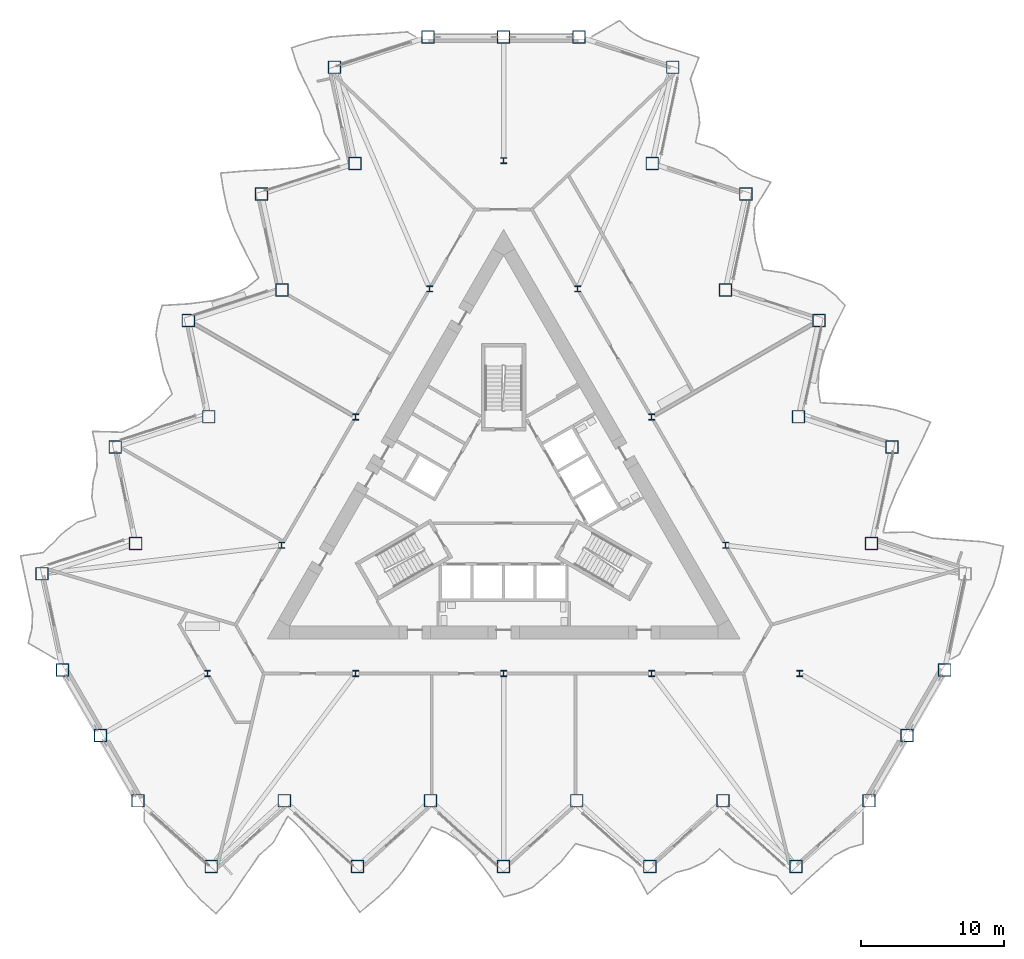
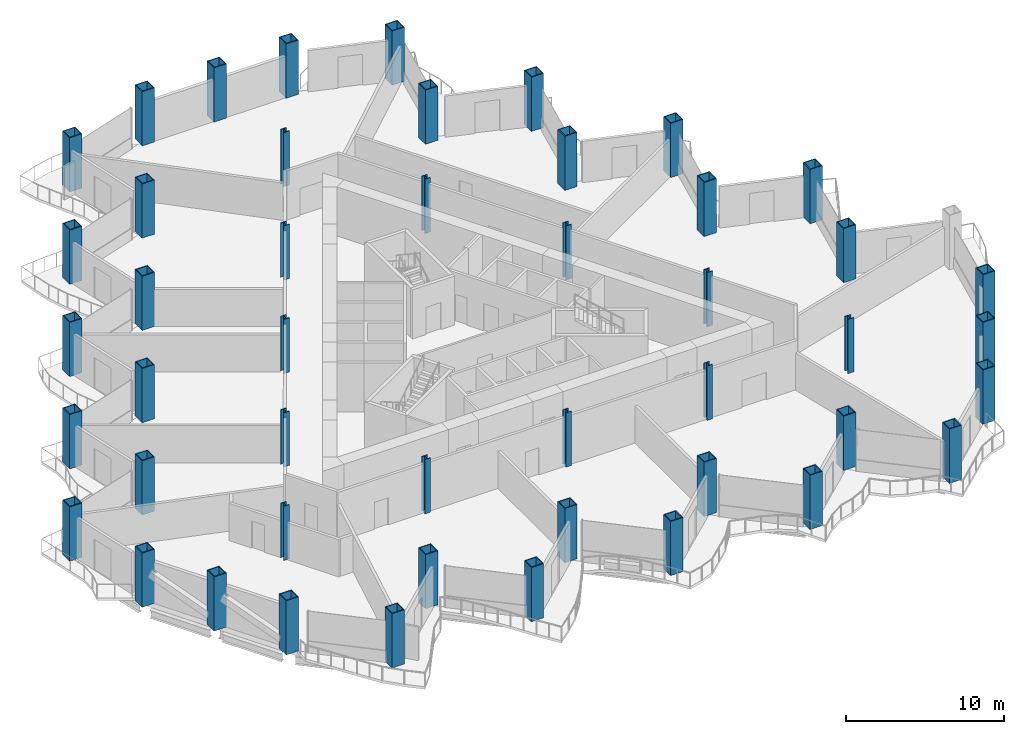
# One storey, part 1 of 21: 47 columns.
"""IFC4 building model written with IfcOpenShell, lengths in metres."""

import ifcopenshell
import ifcopenshell.guid

model = None  # the IFC model being written
_history = None  # IfcOwnerHistory: only IFC2X3 demands one
_inside = {}  # id of a spatial element -> (the spatial element, [elements in it])
_under = {}  # id of a project, library or spatial element -> (it, [spatial elements below it])
_declared = {}  # id of a project -> (the project, [libraries it declares])
_typed = {}  # id of a type object -> (the type object, [elements of that type])
_made_of = {}  # id of a material, layer set ... -> (it, [elements and type objects made of it])


def new_model(schema):
    """Start an empty IFC model of exactly this schema.

    Asked for "IFC4X3", IfcOpenShell would pick the latest addendum, in which some entities
    have other attributes; the version numbers below select the first issue.
    IFC2X3 requires an IfcOwnerHistory on every rooted entity: one is made here for all.
    """
    global model, _history
    if schema == "IFC4X3":
        model = ifcopenshell.file(schema_version=(4, 3, 0, 0))
    else:
        model = ifcopenshell.file(schema=schema)
    _inside.clear()
    _under.clear()
    _declared.clear()
    _typed.clear()
    _made_of.clear()
    _history = None
    if model.schema == "IFC2X3":
        org = make("IfcOrganization", Name="unknown")
        user = make(
            "IfcPersonAndOrganization",
            ThePerson=make("IfcPerson", FamilyName="unknown"),
            TheOrganization=org,
        )
        app = make(
            "IfcApplication",
            ApplicationDeveloper=org,
            Version="unknown",
            ApplicationFullName="unknown",
            ApplicationIdentifier="unknown",
        )
        _history = make(
            "IfcOwnerHistory",
            OwningUser=user,
            OwningApplication=app,
            ChangeAction="ADDED",
            CreationDate=0,
        )
    return model


def make(cls, **values):
    """One entity of the class cls with the attributes given. An attribute that is None is left unset."""
    return model.create_entity(
        cls, **{name: value for name, value in values.items() if value is not None}
    )


def rooted(cls, **values):
    """An entity with a GlobalId (a new one), such as an element, a storey or a relation."""
    return make(cls, GlobalId=ifcopenshell.guid.new(), OwnerHistory=_history, **values)


def si_unit(unit_type, name, prefix=None):
    """IfcSIUnit, for example si_unit("LENGTHUNIT", "METRE", prefix="MILLI")."""
    return make("IfcSIUnit", UnitType=unit_type, Prefix=prefix, Name=name)


def assignment(units):
    """IfcUnitAssignment: the units of a project."""
    return None if units is None else make("IfcUnitAssignment", Units=units)


def point(xyz):
    """IfcCartesianPoint."""
    return None if xyz is None else make("IfcCartesianPoint", Coordinates=xyz)


def direction(xyz):
    """IfcDirection."""
    return None if xyz is None else make("IfcDirection", DirectionRatios=xyz)


def frame(location, z_axis=None, x_axis=None):
    """IfcAxis2Placement3D, a coordinate frame: its origin and axes. An axis left out is left unset."""
    return make(
        "IfcAxis2Placement3D",
        Location=point(location),
        Axis=direction(z_axis),
        RefDirection=direction(x_axis),
    )


def frame_2d(location, x_axis=None):
    """IfcAxis2Placement2D, a coordinate frame in the plane: its origin and x axis."""
    return make(
        "IfcAxis2Placement2D", Location=point(location), RefDirection=direction(x_axis)
    )


def origin():
    """The frame at (0, 0, 0) with its axes left unset."""
    return frame((0.0, 0.0, 0.0))


def origin_2d():
    """The frame at (0, 0) in the plane with its x axis left unset."""
    return frame_2d((0.0, 0.0))


def place(relative_to, where):
    """IfcLocalPlacement: puts the frame where relative to a parent placement (None: the world)."""
    return make(
        "IfcLocalPlacement", PlacementRelTo=relative_to, RelativePlacement=where
    )


def context(
    kind, dimensions, precision=None, world=None, true_north=None, identifier=None
):
    """IfcGeometricRepresentationContext, for example the 3D "Model" context."""
    return make(
        "IfcGeometricRepresentationContext",
        ContextIdentifier=identifier,
        ContextType=kind,
        CoordinateSpaceDimension=dimensions,
        Precision=precision,
        WorldCoordinateSystem=world,
        TrueNorth=true_north,
    )


def subcontext(parent, identifier, kind, view, scale=None):
    """IfcGeometricRepresentationSubContext, for example "Body" below "Model"."""
    return make(
        "IfcGeometricRepresentationSubContext",
        ContextIdentifier=identifier,
        ContextType=kind,
        ParentContext=parent,
        TargetScale=scale,
        TargetView=view,
    )


def project(units=None, contexts=None):
    """IfcProject with its units and contexts."""
    return rooted(
        "IfcProject",
        Name="project",
        RepresentationContexts=contexts,
        UnitsInContext=assignment(units),
    )


def spatial(cls, under=None, at=None, **own):
    """A site, building, storey or space (cls), placed at a placement, below another one or the project."""
    s = rooted(cls, ObjectPlacement=at, **own)
    if under is not None:
        _under.setdefault(under.id(), (under, []))[1].append(s)
    return s


def profile(cls, at=None, kind="AREA", **sizes):
    """A parametric profile (cls). Its sizes go by their IFC names, for example OverallWidth=200.0."""
    return make(cls, ProfileType=kind, Position=at, **sizes)


def hollow_rectangle(**sizes):
    """IfcRectangleHollowProfileDef."""
    return profile("IfcRectangleHollowProfileDef", **sizes)


def i_section(**sizes):
    """IfcIShapeProfileDef."""
    return profile("IfcIShapeProfileDef", **sizes)


def extrude(swept, where, along, depth):
    """IfcExtrudedAreaSolid: the profile swept, set in the frame where, extruded along a direction by depth."""
    return make(
        "IfcExtrudedAreaSolid",
        SweptArea=swept,
        Position=where,
        ExtrudedDirection=direction(along),
        Depth=depth,
    )


def shape(context_of_items, identifier, shape_type, items):
    """IfcShapeRepresentation: the items that make up one representation, for example the "Body"."""
    return make(
        "IfcShapeRepresentation",
        ContextOfItems=context_of_items,
        RepresentationIdentifier=identifier,
        RepresentationType=shape_type,
        Items=items,
    )


def material(Name=None, Category=None):
    """IfcMaterial."""
    return make("IfcMaterial", Name=Name, Category=Category)


def material_profile(
    of_material, cross_section, Name=None, Category=None, Priority=None
):
    """IfcMaterialProfile: a cross section and its material."""
    return make(
        "IfcMaterialProfile",
        Name=Name,
        Material=of_material,
        Profile=cross_section,
        Priority=Priority,
        Category=Category,
    )


def profile_set(profiles, Name=None, composite=None):
    """IfcMaterialProfileSet."""
    return make(
        "IfcMaterialProfileSet",
        Name=Name,
        MaterialProfiles=profiles,
        CompositeProfile=composite,
    )


def made_of(thing, what):
    """Note that an element or type object is made of a material, layer set ...; save() writes the relation."""
    if what is not None:
        _made_of.setdefault(what.id(), (what, []))[1].append(thing)
    return thing


def type_object(cls, material=None, **own):
    """A type object (cls), such as IfcWallType, which elements share."""
    return made_of(rooted(cls, **own), material)


def element(
    cls,
    number,
    at=None,
    inside=None,
    cuts=None,
    type_object=None,
    material=None,
    context=None,
    identifier="Body",
    shape_type=None,
    held_by="IfcProductDefinitionShape",
    body=None,
    shapes=None,
    **own,
):
    """One element of the class cls, such as IfcWall. Its Tag is "e" and its number.

    at: its placement. inside: the storey or other place that contains it. cuts: it is an
    opening in that element (IfcRelVoidsElement). A single representation is given by context,
    identifier, shape_type and body (its items); several are given by shapes. held_by: the class
    of the entity that holds the representations. save() writes the other relations.
    """
    e = rooted(cls, Tag="e%d" % number, ObjectPlacement=at, **own)
    if body is not None:
        shapes = [shape(context, identifier, shape_type, body)]
    if shapes is not None:
        e.Representation = make(held_by, Representations=shapes)
    if inside is not None:
        _inside.setdefault(inside.id(), (inside, []))[1].append(e)
    if cuts is not None:
        rooted(
            "IfcRelVoidsElement", RelatingBuildingElement=cuts, RelatedOpeningElement=e
        )
    if type_object is not None:
        _typed.setdefault(type_object.id(), (type_object, []))[1].append(e)
    return made_of(e, material)


def aggregate(whole, parts):
    """IfcRelAggregates: a whole, such as a stair, and the parts it consists of."""
    return rooted("IfcRelAggregates", RelatingObject=whole, RelatedObjects=parts)


def save(model, path):
    """Write the relations noted so far, then the file.

    IfcRelAggregates (storeys below a building ...), IfcRelContainedInSpatialStructure (elements
    in a storey), IfcRelDefinesByType, IfcRelAssociatesMaterial and IfcRelDeclares: one each for
    every whole, place, type object, material and project.
    """
    for whole, parts in _under.values():
        aggregate(whole, parts)
    for where, things in _inside.values():
        rooted(
            "IfcRelContainedInSpatialStructure",
            RelatedElements=things,
            RelatingStructure=where,
        )
    for kind, things in _typed.values():
        rooted("IfcRelDefinesByType", RelatedObjects=things, RelatingType=kind)
    for what, things in _made_of.values():
        rooted("IfcRelAssociatesMaterial", RelatedObjects=things, RelatingMaterial=what)
    for by, libraries in _declared.values():
        rooted("IfcRelDeclares", RelatingContext=by, RelatedDefinitions=libraries)
    model.write(path)


model = new_model("IFC4")

# Units and contexts
model_context = context("Model", 3, precision=1e-05, world=origin(), true_north=direction((0.0, 1.0)))
body_context = subcontext(model_context, "Body", "Model", "MODEL_VIEW")
ifc_project = project(units=[si_unit("LENGTHUNIT", "METRE"), si_unit("AREAUNIT", "SQUARE_METRE"), si_unit("VOLUMEUNIT", "CUBIC_METRE"), si_unit("PLANEANGLEUNIT", "RADIAN"), si_unit("MASSUNIT", "GRAM", prefix="KILO")], contexts=[model_context])

# Site, building, storey
site_placement = place(None, origin())
site = spatial("IfcSite", under=ifc_project, at=site_placement, CompositionType="ELEMENT")
building_placement = place(site_placement, origin())
building = spatial("IfcBuilding", under=site, at=building_placement, Name="Cormorant Prow Tower", CompositionType="ELEMENT")
storey_placement = place(building_placement, frame((0.0, 0.0, 120.60009765625)))
storey = spatial("IfcBuildingStorey", under=building, at=storey_placement, Name="L25", CompositionType="ELEMENT", Elevation=120.60009765625)

# Columns
ifc_material_1 = material(Name="Structural steel ASTM A572 Gr 50", Category="steel")
ifc_material_profile_1 = material_profile(ifc_material_1, hollow_rectangle(XDim=0.89990234375, YDim=0.89990234375, WallThickness=0.06005859375, at=origin_2d()), Name="Box 900x900x60")
ifc_profile_set_1 = profile_set([ifc_material_profile_1], Name="Structural steel ASTM A572 Gr 50")
column_type_1 = type_object("IfcColumnType", Name="Perimeter box column 900x900x60", PredefinedType="COLUMN", material=ifc_profile_set_1)
for number, where, z_axis, x_axis, name in (
    (1, (-25.499755859375, -20.80712890625, 0.0), (0.0, 0.0, 1.0), (1.0, 0.0, 0.0), "Perimeter column C3 at S00 L25"),
    (2, (-20.399658203125, -25.399169921875, 0.0), (0.0, 0.0, 1.0), (1.0, 0.0, 0.0), "Perimeter column C3 at S01 L25"),
    (3, (-15.2998046875, -20.80712890625, 0.0), (0.0, 0.0, 1.0), (1.0, 0.0, 0.0), "Perimeter column C3 at S02 L25"),
    (4, (-10.199951171875, -25.399169921875, 0.0), (0.0, 0.0, 1.0), (1.0, 0.0, 0.0), "Perimeter column C3 at S03 L25"),
    (5, (-5.099853515625, -20.80712890625, 0.0), (0.0, 0.0, 1.0), (1.0, 0.0, 0.0), "Perimeter column C3 at S04 L25"),
    (6, (0.0, -25.399169921875, 0.0), (0.0, 0.0, 1.0), (1.0, 0.0, 0.0), "Perimeter column C3 at S05 L25"),
    (7, (5.099853515625, -20.80712890625, 0.0), (0.0, 0.0, 1.0), (1.0, 0.0, 0.0), "Perimeter column C3 at S06 L25"),
    (8, (10.199951171875, -25.399169921875, 0.0), (0.0, 0.0, 1.0), (1.0, 0.0, 0.0), "Perimeter column C3 at S07 L25"),
    (9, (15.2998046875, -20.80712890625, 0.0), (0.0, 0.0, 1.0), (1.0, 0.0, 0.0), "Perimeter column C3 at S08 L25"),
    (10, (20.399658203125, -25.399169921875, 0.0), (0.0, 0.0, 1.0), (1.0, 0.0, 0.0), "Perimeter column C3 at S09 L25"),
    (11, (25.499755859375, -20.80712890625, 0.0), (0.0, 0.0, 1.0), (1.0, 0.0, 0.0), "Perimeter column C3 at ESE00 L25"),
    (12, (28.134521484375, -16.243408203125, 0.0), (0.0, 0.0, 1.0), (1.0, 0.0, 0.0), "Perimeter column C3 at ESE01 L25"),
    (13, (30.769287109375, -11.679931640625, 0.0), (0.0, 0.0, 1.0), (1.0, 0.0, 0.0), "Perimeter column C3 at ENE00 L25"),
    (14, (25.66943359375, -2.846435546875, 0.0), (0.0, 0.0, 1.0), (1.0, 0.0, 0.0), "Perimeter column C3 at ENE02 L25"),
    (15, (27.09619140625, 3.8662109375, 0.0), (0.0, 0.0, 1.0), (1.0, 0.0, 0.0), "Perimeter column C3 at ENE03 L25"),
    (16, (20.569580078125, 5.98681640625, 0.0), (0.0, 0.0, 1.0), (1.0, 0.0, 0.0), "Perimeter column C3 at ENE04 L25"),
    (17, (21.996337890625, 12.699462890625, 0.0), (0.0, 0.0, 1.0), (1.0, 0.0, 0.0), "Perimeter column C3 at ENE05 L25"),
    (18, (15.469482421875, 14.8203125, 0.0), (0.0, 0.0, 1.0), (1.0, 0.0, 0.0), "Perimeter column C3 at ENE06 L25"),
    (19, (16.896240234375, 21.532958984375, 0.0), (0.0, 0.0, 1.0), (1.0, 0.0, 0.0), "Perimeter column C3 at ENE07 L25"),
    (20, (10.36962890625, 23.653564453125, 0.0), (0.0, 0.0, 1.0), (1.0, 0.0, 0.0), "Perimeter column C3 at ENE08 L25"),
    (21, (11.79638671875, 30.3662109375, 0.0), (0.0, 0.0, 1.0), (1.0, 0.0, 0.0), "Perimeter column C3 at ENE09 L25"),
    (22, (5.269775390625, 32.487060546875, 0.0), (0.0, 0.0, 1.0), (1.0, 0.0, 0.0), "Perimeter column C3 at N00 L25"),
    (23, (0.0, 32.487060546875, 0.0), (0.0, 0.0, 1.0), (1.0, 0.0, 0.0), "Perimeter column C3 at N01 L25"),
    (24, (-5.269775390625, 32.487060546875, 0.0), (0.0, 0.0, 1.0), (1.0, 0.0, 0.0), "Perimeter column C3 at WNW00 L25"),
    (25, (-11.79638671875, 30.3662109375, 0.0), (0.0, 0.0, 1.0), (1.0, 0.0, 0.0), "Perimeter column C3 at WNW01 L25"),
    (26, (-10.36962890625, 23.653564453125, 0.0), (0.0, 0.0, 1.0), (1.0, 0.0, 0.0), "Perimeter column C3 at WNW02 L25"),
    (27, (-16.896240234375, 21.532958984375, 0.0), (0.0, 0.0, 1.0), (1.0, 0.0, 0.0), "Perimeter column C3 at WNW03 L25"),
    (28, (-15.469482421875, 14.8203125, 0.0), (0.0, 0.0, 1.0), (1.0, 0.0, 0.0), "Perimeter column C3 at WNW04 L25"),
    (29, (-21.996337890625, 12.699462890625, 0.0), (0.0, 0.0, 1.0), (1.0, 0.0, 0.0), "Perimeter column C3 at WNW05 L25"),
    (30, (-20.569580078125, 5.98681640625, 0.0), (0.0, 0.0, 1.0), (1.0, 0.0, 0.0), "Perimeter column C3 at WNW06 L25"),
    (31, (-27.09619140625, 3.8662109375, 0.0), (0.0, 0.0, 1.0), (1.0, 0.0, 0.0), "Perimeter column C3 at WNW07 L25"),
    (32, (-25.66943359375, -2.846435546875, 0.0), (0.0, 0.0, 1.0), (1.0, 0.0, 0.0), "Perimeter column C3 at WNW08 L25"),
    (33, (-32.1962890625, -4.967041015625, 0.0), (0.0, 0.0, 1.0), (1.0, 0.0, 0.0), "Perimeter column C3 at WNW09 L25"),
    (34, (-30.769287109375, -11.679931640625, 0.0), (0.0, 0.0, 1.0), (1.0, 0.0, 0.0), "Perimeter column C3 at WSW00 L25"),
    (35, (-28.134521484375, -16.243408203125, 0.0), (0.0, 0.0, 1.0), (1.0, 0.0, 0.0), "Perimeter column C3 at WSW01 L25"),
):
    element("IfcColumn", number, at=place(storey_placement, frame(where, z_axis=z_axis, x_axis=x_axis)), inside=storey, type_object=column_type_1, Name=name, PredefinedType="COLUMN", context=body_context, shape_type="SweptSolid", body=[
        extrude(hollow_rectangle(XDim=0.89990234375, YDim=0.89990234375, WallThickness=0.06005859375, at=origin_2d()), origin(), (0.0, 0.0, 1.0), 4.199951171875),
    ])
ifc_material_2 = material(Name="Structural steel ASTM A992 Gr 50", Category="steel")
ifc_material_profile_2 = material_profile(ifc_material_2, i_section(OverallWidth=0.412109375, OverallDepth=0.434814453125, WebThickness=0.035888671875, FlangeThickness=0.057373046875, at=origin_2d()), Name="W14x311")
ifc_profile_set_2 = profile_set([ifc_material_profile_2], Name="Structural steel ASTM A992 Gr 50")
column_type_2 = type_object("IfcColumnType", Name="Ring column W14x311", PredefinedType="COLUMN", material=ifc_profile_set_2)
for number, where, z_axis, x_axis, name in (
    (36, (0.0, 23.8525390625, 0.0), (0.0, 0.0, 1.0), (1.0, 0.0, 0.0), "Ring column 1 L25"),
    (37, (-5.164306640625, 14.907958984375, 0.0), (0.0, 0.0, 1.0), (1.0, 0.0, 0.0), "Ring column 2 L25"),
    (38, (-10.328369140625, 5.963134765625, 0.0), (0.0, 0.0, 1.0), (1.0, 0.0, 0.0), "Ring column 3 L25"),
    (39, (-15.49267578125, -2.981689453125, 0.0), (0.0, 0.0, 1.0), (1.0, 0.0, 0.0), "Ring column 4 L25"),
    (40, (-20.656982421875, -11.92626953125, 0.0), (0.0, 0.0, 1.0), (1.0, 0.0, 0.0), "Ring column 5 L25"),
    (41, (-10.328369140625, -11.92626953125, 0.0), (0.0, 0.0, 1.0), (1.0, 0.0, 0.0), "Ring column 6 L25"),
    (42, (0.0, -11.92626953125, 0.0), (0.0, 0.0, 1.0), (1.0, 0.0, 0.0), "Ring column 7 L25"),
    (43, (10.328369140625, -11.92626953125, 0.0), (0.0, 0.0, 1.0), (1.0, 0.0, 0.0), "Ring column 8 L25"),
    (44, (20.656982421875, -11.92626953125, 0.0), (0.0, 0.0, 1.0), (1.0, 0.0, 0.0), "Ring column 9 L25"),
    (45, (15.49267578125, -2.981689453125, 0.0), (0.0, 0.0, 1.0), (1.0, 0.0, 0.0), "Ring column 10 L25"),
    (46, (10.328369140625, 5.963134765625, 0.0), (0.0, 0.0, 1.0), (1.0, 0.0, 0.0), "Ring column 11 L25"),
    (47, (5.164306640625, 14.907958984375, 0.0), (0.0, 0.0, 1.0), (1.0, 0.0, 0.0), "Ring column 12 L25"),
):
    element("IfcColumn", number, at=place(storey_placement, frame(where, z_axis=z_axis, x_axis=x_axis)), inside=storey, type_object=column_type_2, Name=name, PredefinedType="COLUMN", context=body_context, shape_type="SweptSolid", body=[
        extrude(i_section(OverallWidth=0.412109375, OverallDepth=0.434814453125, WebThickness=0.035888671875, FlangeThickness=0.057373046875, at=origin_2d()), origin(), (0.0, 0.0, 1.0), 4.199951171875),
    ])

save(model, "model.ifc")
